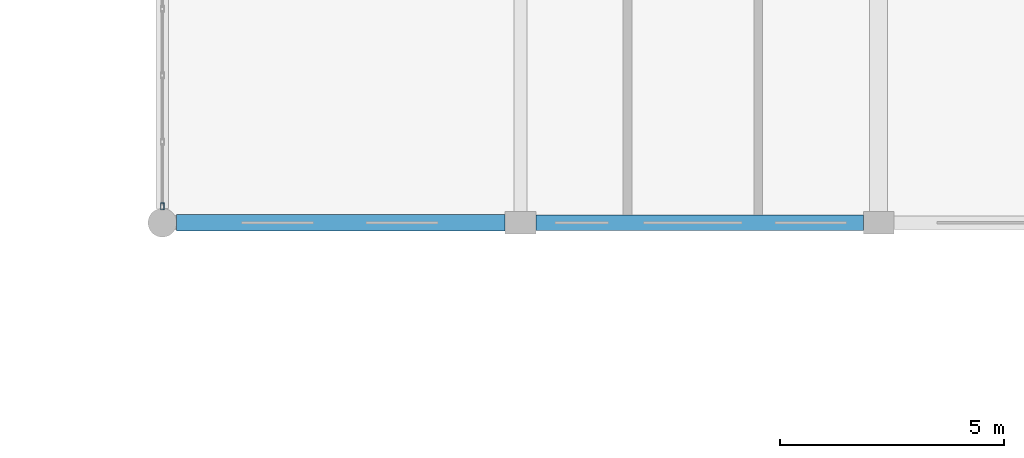
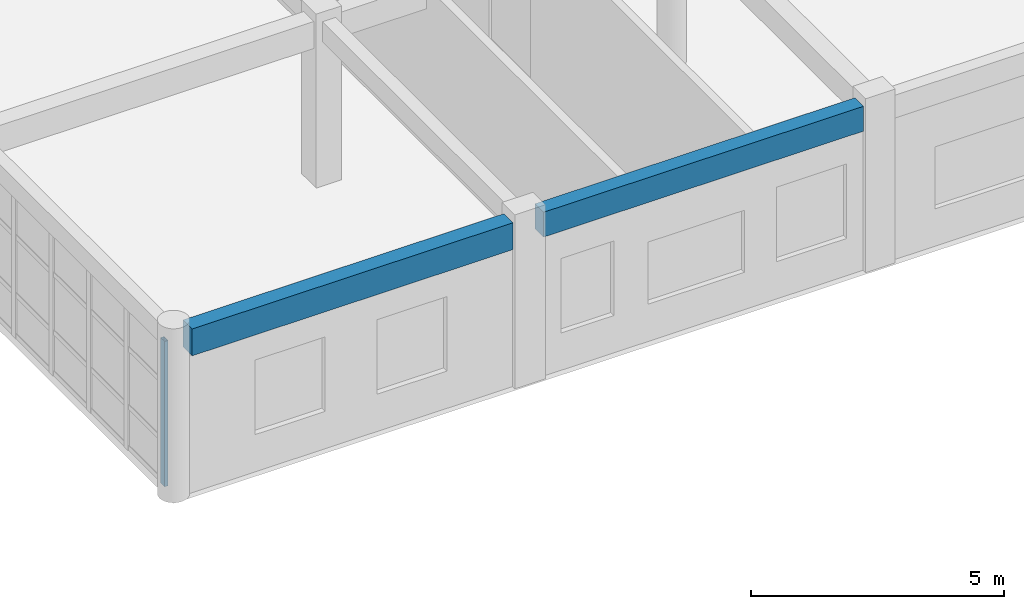
# One storey, part 16 of 53: 2 beams, 1 member, 1 element without a shape of its own.
"""IFC4 building model written with IfcOpenShell, lengths in metres."""

from ifc_helpers import new_model, si_unit, direction, frame, origin, origin_2d, place, context, subcontext, project, spatial, rectangle, hollow_rectangle, extrude, material, material_profile, profile_set, type_object, element, aggregate, save


model = new_model("IFC4")

# Units and contexts
model_context = context("Model", 3, precision=1e-05, world=origin(), true_north=direction((0.0, 1.0)))
body_context = subcontext(model_context, "Body", "Model", "MODEL_VIEW")
ifc_project = project(units=[si_unit("LENGTHUNIT", "METRE"), si_unit("AREAUNIT", "SQUARE_METRE"), si_unit("VOLUMEUNIT", "CUBIC_METRE"), si_unit("PLANEANGLEUNIT", "RADIAN"), si_unit("MASSUNIT", "GRAM", prefix="KILO")], contexts=[model_context])

# Site, building, storey
site_placement = place(None, origin())
site = spatial("IfcSite", under=ifc_project, at=site_placement, CompositionType="ELEMENT")
building_placement = place(site_placement, origin())
building = spatial("IfcBuilding", under=site, at=building_placement, Name="Kharva Crest Polytechnic", CompositionType="ELEMENT")
storey_placement = place(building_placement, frame((0.0, 0.0, 17.39990234375)))
storey = spatial("IfcBuildingStorey", under=building, at=storey_placement, Name="L04", CompositionType="ELEMENT", Elevation=17.39990234375)

# Curtain wall, member
ifc_material_1 = material(Name="Tempered insulated glass", Category="glass")
curtain_wall_type = type_object("IfcCurtainWallType", Name="CW-SYS-STUDIO", PredefinedType="USERDEFINED", material=ifc_material_1)
curtain_wall_placement = place(storey_placement, origin())
curtain_wall = element("IfcCurtainWall", 1, at=curtain_wall_placement, inside=storey, type_object=curtain_wall_type, Name="L04 Glazed Curtain Wall CW-185", ObjectType="CURTAIN WALL", PredefinedType="USERDEFINED")
ifc_material_2 = material(Name="Steel S355", Category="steel")
ifc_material_profile_1 = material_profile(ifc_material_2, hollow_rectangle(XDim=0.080078125, YDim=0.159912109375, WallThickness=0.0048828125, at=origin_2d()), Name="RHS 160X80X5.0")
ifc_profile_set_1 = profile_set([ifc_material_profile_1], Name="Steel S355")
member_type = type_object("IfcMemberType", Name="CWM-RHS160X80", PredefinedType="MULLION", material=ifc_profile_set_1)
member_placement = place(storey_placement, frame((152.800048828125, 39.1650390625, 0.0), z_axis=(0.0, 0.0, 1.0), x_axis=(1.0, 0.0, 0.0)))
member = element("IfcMember", 2, at=member_placement, type_object=member_type, Name="CW-185 mullion 6", PredefinedType="MULLION", context=body_context, shape_type="SweptSolid", body=[
    extrude(hollow_rectangle(XDim=0.080078125, YDim=0.159912109375, WallThickness=0.0048828125, at=origin_2d()), origin(), (0.0, 0.0, 1.0), 3.510009765625),
])
aggregate(curtain_wall, [member])

# Beams
ifc_material_3 = material(Name="Concrete C35/45", Category="concrete")
ifc_material_profile_2 = material_profile(ifc_material_3, rectangle(XDim=0.340087890625, YDim=0.60009765625, at=origin_2d()), Name="RECT 340 X 600")
ifc_profile_set_2 = profile_set([ifc_material_profile_2], Name="Concrete C35/45")
beam_type_1 = type_object("IfcBeamType", Name="SP-RC-340X600", PredefinedType="SPANDREL", material=ifc_profile_set_2)
beam_1_placement = place(storey_placement, frame((161.14990234375, 38.800048828125, 3.670166015625), z_axis=(1.0, 0.0, 0.0), x_axis=(0.0, 1.0, 0.0)))
element("IfcBeam", 3, at=beam_1_placement, inside=storey, type_object=beam_type_1, Name="L04 Beam FJ/21-22", PredefinedType="SPANDREL", context=body_context, shape_type="SweptSolid", body=[
    extrude(rectangle(XDim=0.340087890625, YDim=0.60009765625, at=origin_2d()), origin(), (0.0, 0.0, 1.0), 7.31005859375),
])
ifc_material_profile_3 = material_profile(ifc_material_3, rectangle(XDim=0.360107421875, YDim=0.64990234375, at=origin_2d()), Name="RECT 360 X 650")
ifc_profile_set_3 = profile_set([ifc_material_profile_3], Name="Concrete C35/45")
beam_type_2 = type_object("IfcBeamType", Name="SP-RC-360X650", PredefinedType="SPANDREL", material=ifc_profile_set_3)
beam_2_placement = place(storey_placement, frame((153.1201171875, 38.800048828125, 3.64501953125), z_axis=(1.0, 0.0, 0.0), x_axis=(0.0, 1.0, 0.0)))
element("IfcBeam", 4, at=beam_2_placement, inside=storey, type_object=beam_type_2, Name="L04 Beam FJ/20-21", PredefinedType="SPANDREL", context=body_context, shape_type="SweptSolid", body=[
    extrude(rectangle(XDim=0.360107421875, YDim=0.64990234375, at=origin_2d()), origin(), (0.0, 0.0, 1.0), 7.329833984375),
])

save(model, "model.ifc")
